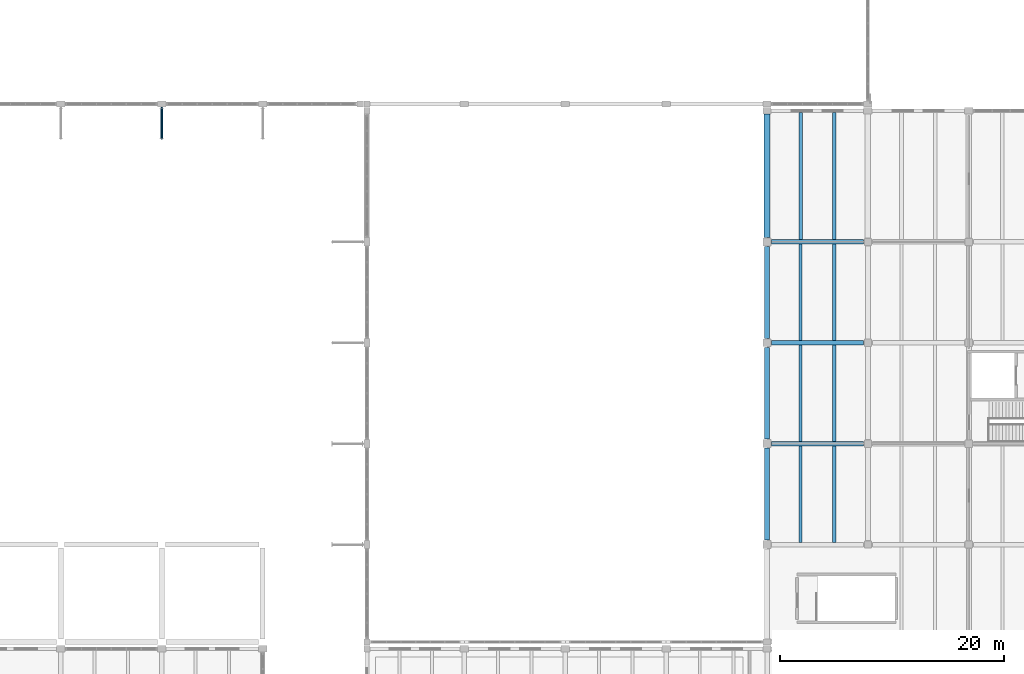
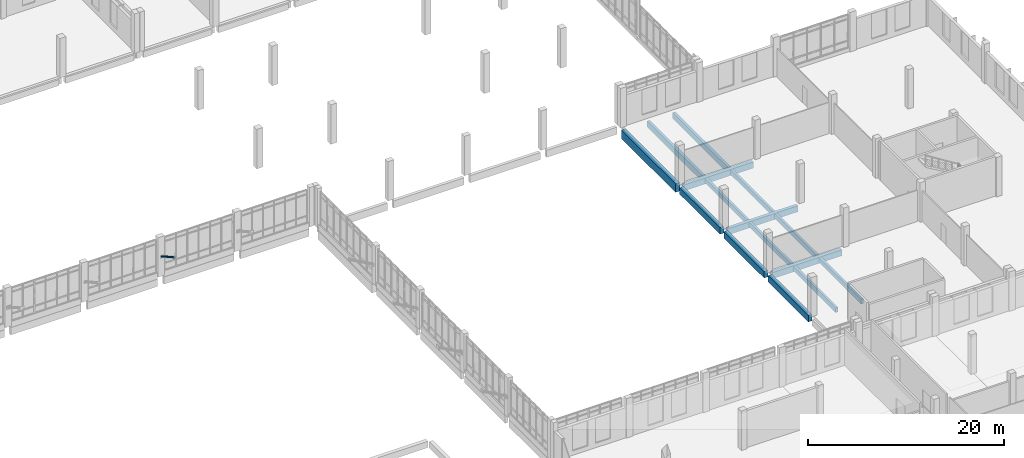
# One storey, part 41 of 110: 15 beams, 1 member.
"""IFC4 building model written with IfcOpenShell, lengths in metres."""

from ifc_helpers import new_model, si_unit, direction, frame, origin, origin_2d, place, context, subcontext, project, spatial, rectangle, hollow_circle, extrude, material, material_profile, profile_set, type_object, element, save


model = new_model("IFC4")

# Units and contexts
model_context = context("Model", 3, precision=1e-05, world=origin(), true_north=direction((0.0, 1.0)))
body_context = subcontext(model_context, "Body", "Model", "MODEL_VIEW")
ifc_project = project(units=[si_unit("LENGTHUNIT", "METRE"), si_unit("AREAUNIT", "SQUARE_METRE"), si_unit("VOLUMEUNIT", "CUBIC_METRE"), si_unit("PLANEANGLEUNIT", "RADIAN"), si_unit("MASSUNIT", "GRAM", prefix="KILO")], contexts=[model_context])

# Site, building, storey
site_placement = place(None, origin())
site = spatial("IfcSite", under=ifc_project, at=site_placement, CompositionType="ELEMENT")
building_placement = place(site_placement, origin())
building = spatial("IfcBuilding", under=site, at=building_placement, Name="Zacnel Wholesale Market", CompositionType="ELEMENT")
storey_placement = place(building_placement, frame((0.0, 0.0, 6.300048828125)))
storey = spatial("IfcBuildingStorey", under=building, at=storey_placement, Name="L02", CompositionType="ELEMENT", Elevation=6.300048828125)

# Beams
ifc_material_1 = material(Name="Precast concrete C45/55", Category="concrete")
ifc_material_profile_1 = material_profile(ifc_material_1, rectangle(XDim=0.280029296875, YDim=0.60009765625, at=origin_2d()), Name="DT RIB 280x600")
ifc_profile_set_1 = profile_set([ifc_material_profile_1], Name="Precast concrete C45/55")
beam_type_1 = type_object("IfcBeamType", Name="BM-DT600", PredefinedType="JOIST", material=ifc_profile_set_1)
for number, where, z_axis, x_axis, name in (
    (1, (183.0, 57.199951171875, -0.60009765625), (0.0, 1.0, 0.0), (-1.0, 0.0, 0.0), "Precast secondary joist L02-0215"),
    (2, (186.0, 57.199951171875, -0.60009765625), (0.0, 1.0, 0.0), (-1.0, 0.0, 0.0), "Precast secondary joist L02-0216"),
    (3, (183.0, 66.199951171875, -0.60009765625), (0.0, 1.0, 0.0), (-1.0, 0.0, 0.0), "Precast secondary joist L02-0235"),
    (4, (186.0, 66.199951171875, -0.60009765625), (0.0, 1.0, 0.0), (-1.0, 0.0, 0.0), "Precast secondary joist L02-0236"),
    (5, (183.0, 75.199951171875, -0.60009765625), (0.0, 1.0, 0.0), (-1.0, 0.0, 0.0), "Precast secondary joist L02-0251"),
    (6, (186.0, 75.199951171875, -0.60009765625), (0.0, 1.0, 0.0), (-1.0, 0.0, 0.0), "Precast secondary joist L02-0252"),
):
    element("IfcBeam", number, at=place(storey_placement, frame(where, z_axis=z_axis, x_axis=x_axis)), inside=storey, type_object=beam_type_1, Name=name, PredefinedType="JOIST", context=body_context, shape_type="SweptSolid", body=[
        extrude(rectangle(XDim=0.280029296875, YDim=0.60009765625, at=origin_2d()), origin(), (0.0, 0.0, 1.0), 8.60009765625),
    ])
ifc_material_2 = material(Name="Precast concrete C45/55", Category="concrete")
ifc_material_profile_2 = material_profile(ifc_material_2, rectangle(XDim=0.320068359375, YDim=0.75, at=origin_2d()), Name="DT RIB 320x750")
ifc_profile_set_2 = profile_set([ifc_material_profile_2], Name="Precast concrete C45/55")
beam_type_2 = type_object("IfcBeamType", Name="BM-DT750", PredefinedType="JOIST", material=ifc_profile_set_2)
for number, where, z_axis, x_axis, name in (
    (7, (183.0, 84.199951171875, -0.675048828125), (0.0, 1.0, 0.0), (-1.0, 0.0, 0.0), "Precast secondary joist L02-0271"),
    (8, (186.0, 84.199951171875, -0.675048828125), (0.0, 1.0, 0.0), (-1.0, 0.0, 0.0), "Precast secondary joist L02-0272"),
):
    element("IfcBeam", number, at=place(storey_placement, frame(where, z_axis=z_axis, x_axis=x_axis)), inside=storey, type_object=beam_type_2, Name=name, PredefinedType="JOIST", context=body_context, shape_type="SweptSolid", body=[
        extrude(rectangle(XDim=0.320068359375, YDim=0.75, at=origin_2d()), origin(), (0.0, 0.0, 1.0), 11.324951171875),
    ])
ifc_material_3 = material(Name="Precast concrete C45/55", Category="concrete")
ifc_material_profile_3 = material_profile(ifc_material_3, rectangle(XDim=0.5, YDim=1.050048828125, at=origin_2d()), Name="PG 500x1050")
ifc_profile_set_3 = profile_set([ifc_material_profile_3], Name="Precast concrete C45/55")
beam_type_3 = type_object("IfcBeamType", Name="BM-PG1050", PredefinedType="T_BEAM", material=ifc_profile_set_3)
beam_placement = place(storey_placement, frame((180.0, 84.39990234375, -0.824951171875), z_axis=(0.0, 1.0, 0.0), x_axis=(-1.0, 0.0, 0.0)))
element("IfcBeam", 9, at=beam_placement, inside=storey, type_object=beam_type_3, Name="Precast girder Y-0511", PredefinedType="T_BEAM", context=body_context, shape_type="SweptSolid", body=[
    extrude(rectangle(XDim=0.5, YDim=1.050048828125, at=origin_2d()), origin(), (0.0, 0.0, 1.0), 11.025146484375),
])
ifc_material_4 = material(Name="Precast concrete C45/55", Category="concrete")
ifc_material_profile_4 = material_profile(ifc_material_4, rectangle(XDim=0.39990234375, YDim=0.75, at=origin_2d()), Name="PG 400x750")
ifc_profile_set_4 = profile_set([ifc_material_profile_4], Name="Precast concrete C45/55")
beam_type_4 = type_object("IfcBeamType", Name="BM-PG750", PredefinedType="BEAM", material=ifc_profile_set_4)
for number, where, z_axis, x_axis, name in (
    (10, (180.39990234375, 66.0, -0.675048828125), (1.0, 0.0, 0.0), (0.0, 1.0, 0.0), "Precast girder X-0181"),
    (11, (180.39990234375, 75.0, -0.675048828125), (1.0, 0.0, 0.0), (0.0, 1.0, 0.0), "Precast girder X-0193"),
    (12, (180.39990234375, 84.0, -0.675048828125), (1.0, 0.0, 0.0), (0.0, 1.0, 0.0), "Precast girder X-0205"),
):
    element("IfcBeam", number, at=place(storey_placement, frame(where, z_axis=z_axis, x_axis=x_axis)), inside=storey, type_object=beam_type_4, Name=name, PredefinedType="BEAM", context=body_context, shape_type="SweptSolid", body=[
        extrude(rectangle(XDim=0.39990234375, YDim=0.75, at=origin_2d()), origin(), (0.0, 0.0, 1.0), 8.2001953125),
    ])
ifc_material_5 = material(Name="Precast concrete C45/55", Category="concrete")
ifc_material_profile_5 = material_profile(ifc_material_5, rectangle(XDim=0.449951171875, YDim=0.800048828125, at=origin_2d()), Name="PG 450x800")
ifc_profile_set_5 = profile_set([ifc_material_profile_5], Name="Precast concrete C45/55")
beam_type_5 = type_object("IfcBeamType", Name="BM-PG800", PredefinedType="BEAM", material=ifc_profile_set_5)
for number, where, z_axis, x_axis, name in (
    (13, (180.0, 57.39990234375, -0.699951171875), (0.0, 1.0, 0.0), (-1.0, 0.0, 0.0), "Precast girder Y-0508"),
    (14, (180.0, 66.39990234375, -0.699951171875), (0.0, 1.0, 0.0), (-1.0, 0.0, 0.0), "Precast girder Y-0509"),
    (15, (180.0, 75.39990234375, -0.699951171875), (0.0, 1.0, 0.0), (-1.0, 0.0, 0.0), "Precast girder Y-0510"),
):
    element("IfcBeam", number, at=place(storey_placement, frame(where, z_axis=z_axis, x_axis=x_axis)), inside=storey, type_object=beam_type_5, Name=name, PredefinedType="BEAM", context=body_context, shape_type="SweptSolid", body=[
        extrude(rectangle(XDim=0.449951171875, YDim=0.800048828125, at=origin_2d()), origin(), (0.0, 0.0, 1.0), 8.2001953125),
    ])

# Member
ifc_material_6 = material(Name="Steel S355", Category="steel")
ifc_material_profile_6 = material_profile(ifc_material_6, hollow_circle(Radius=0.109619140625, WallThickness=0.010009765625, at=origin_2d()), Name="CHS 219.1x10")
ifc_profile_set_6 = profile_set([ifc_material_profile_6], Name="Steel S355")
member_type = type_object("IfcMemberType", Name="MEM-STR-CHS219", PredefinedType="STRUT", material=ifc_profile_set_6)
member_placement = place(storey_placement, frame((126.0, 95.97998046875, 2.5), z_axis=(0.0, -0.873410930295, 0.48698392873), x_axis=(1.0, 0.0, 0.0)))
element("IfcMember", 16, at=member_placement, inside=storey, type_object=member_type, Name="Storm eave knee strut 007", PredefinedType="STRUT", context=body_context, shape_type="SweptSolid", body=[
    extrude(hollow_circle(Radius=0.109619140625, WallThickness=0.010009765625, at=origin_2d()), origin(), (0.0, 0.0, 1.0), 3.182861328125),
])

save(model, "model.ifc")
